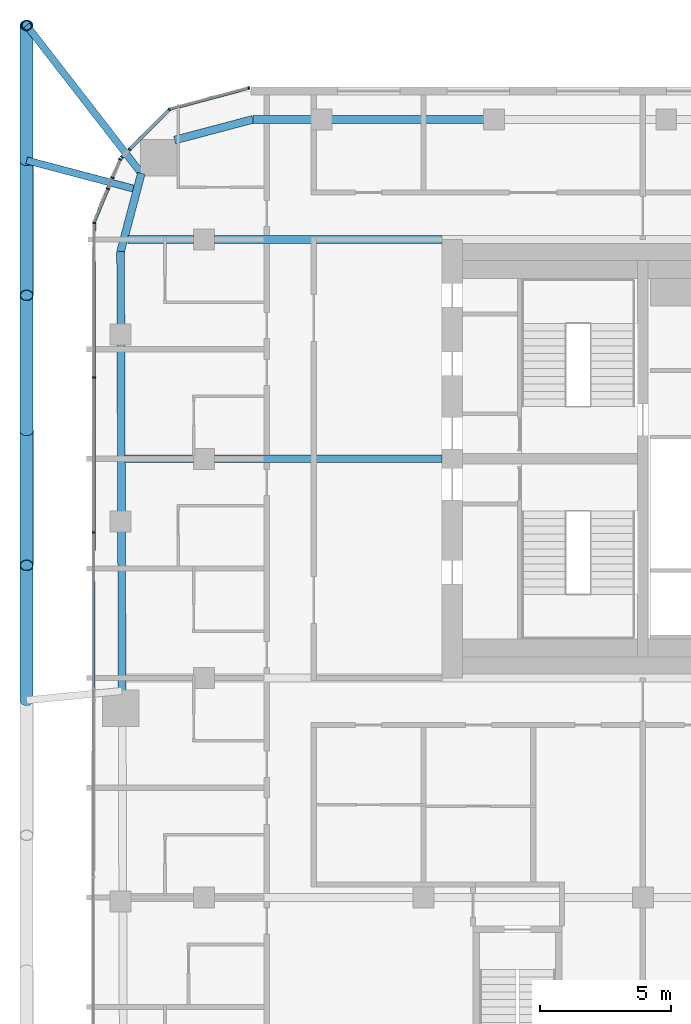
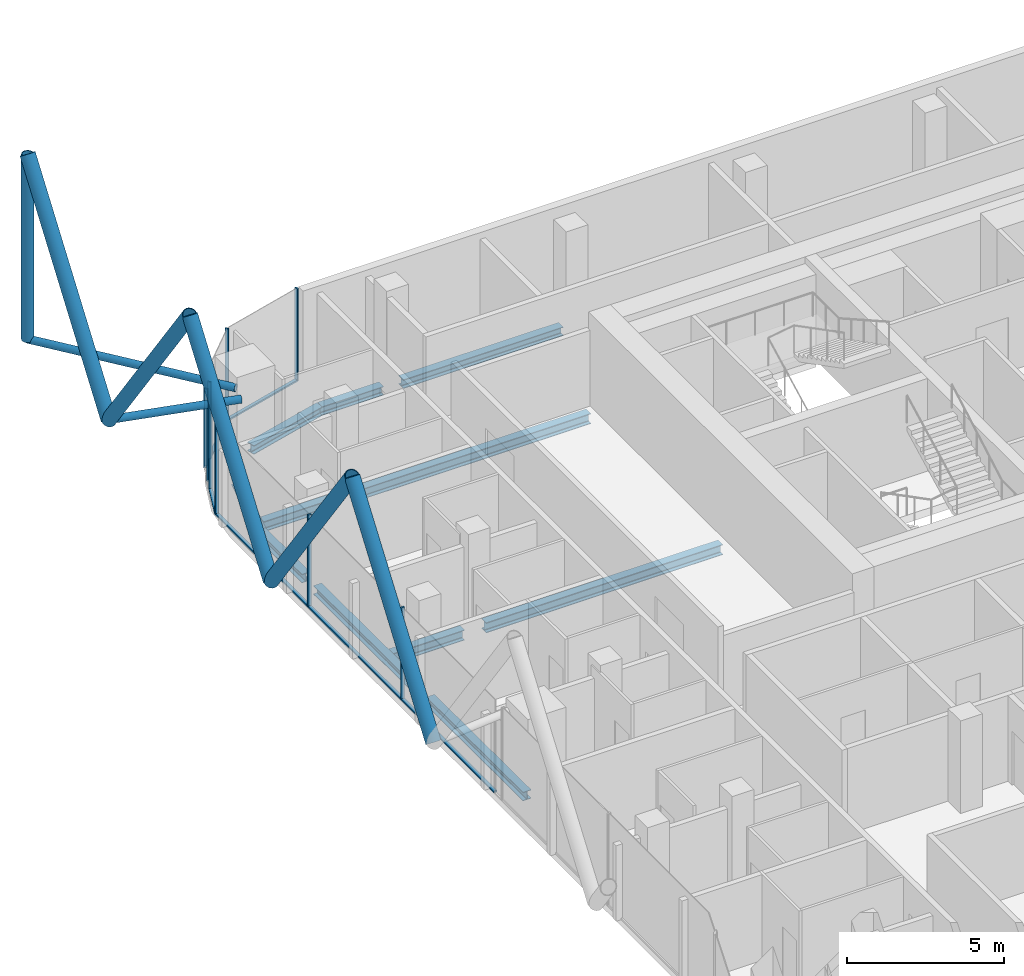
# One storey, part 8 of 31: 24 members, 11 beams, 7 elements without a shape of their own.
"""IFC4 building model written with IfcOpenShell, lengths in metres."""

from ifc_helpers import new_model, si_unit, direction, frame, origin, origin_2d, place, context, subcontext, project, spatial, rectangle, hollow_circle, i_section, extrude, material, layer, layer_set, material_profile, profile_set, type_object, element, aggregate, save


model = new_model("IFC4")

# Units and contexts
model_context = context("Model", 3, precision=1e-05, world=origin(), true_north=direction((0.0, 1.0)))
body_context = subcontext(model_context, "Body", "Model", "MODEL_VIEW")
ifc_project = project(units=[si_unit("LENGTHUNIT", "METRE"), si_unit("AREAUNIT", "SQUARE_METRE"), si_unit("VOLUMEUNIT", "CUBIC_METRE"), si_unit("PLANEANGLEUNIT", "RADIAN"), si_unit("MASSUNIT", "GRAM", prefix="KILO")], contexts=[model_context])

# Site, building, storey
site_placement = place(None, origin())
site = spatial("IfcSite", under=ifc_project, at=site_placement, CompositionType="ELEMENT")
building_placement = place(site_placement, origin())
building = spatial("IfcBuilding", under=site, at=building_placement, Name="Marenta Gate Hotel Tower", CompositionType="ELEMENT")
storey_placement = place(building_placement, frame((0.0, 0.0, 191.300048828125)))
storey = spatial("IfcBuildingStorey", under=building, at=storey_placement, Name="L43", CompositionType="ELEMENT", Elevation=191.300048828125)

# Members
ifc_material_1 = material(Name="Steel S355J2W", Category="steel")
ifc_material_profile_1 = material_profile(ifc_material_1, hollow_circle(Radius=0.203125, WallThickness=0.02490234375, at=origin_2d()), Name="CHS 406.4x25")
ifc_profile_set_1 = profile_set([ifc_material_profile_1], Name="Steel S355J2W")
member_type_1 = type_object("IfcMemberType", Name="Diagrid corner post Z3 CHS 406.4x25", PredefinedType="POST", material=ifc_profile_set_1)
member_1_placement = place(storey_placement, frame((-27.800048828125, 25.0, 3.139892578125), z_axis=(0.0, 0.0, 1.0), x_axis=(1.0, 0.0, 0.0)))
element("IfcMember", 1, at=member_1_placement, inside=storey, type_object=member_type_1, Name="L43-DR-6", PredefinedType="POST", context=body_context, shape_type="SweptSolid", body=[
    extrude(hollow_circle(Radius=0.203125, WallThickness=0.02490234375, at=origin_2d()), origin(), (0.0, 0.0, 1.0), 7.199951171875),
])
ifc_material_2 = material(Name="Steel S355J2W", Category="steel")
ifc_material_profile_2 = material_profile(ifc_material_2, hollow_circle(Radius=0.25390625, WallThickness=0.02490234375, at=origin_2d()), Name="CHS 508x25")
ifc_profile_set_2 = profile_set([ifc_material_profile_2], Name="Steel S355J2W")
member_type_2 = type_object("IfcMemberType", Name="Diagrid diagonal Z3 CHS 508x25", PredefinedType="BRACE", material=ifc_profile_set_2)
member_2_placement = place(storey_placement, frame((-27.800048828125, -0.85009765625, 3.139892578125), z_axis=(0.0, 0.583260841117, 0.812284919975), x_axis=(-1.0, 0.0, 0.0)))
element("IfcMember", 2, at=member_2_placement, inside=storey, type_object=member_type_2, Name="L43-DG-30", PredefinedType="BRACE", context=body_context, shape_type="SweptSolid", body=[
    extrude(hollow_circle(Radius=0.25390625, WallThickness=0.02490234375, at=origin_2d()), origin(), (0.0, 0.0, 1.0), 8.86376953125),
])
member_3_placement = place(storey_placement, frame((-27.800048828125, 9.489990234375, 3.139892578125), z_axis=(0.0, -0.583279014058, 0.812271870595), x_axis=(1.0, 0.0, 0.0)))
element("IfcMember", 3, at=member_3_placement, inside=storey, type_object=member_type_2, Name="L43-DG-31", PredefinedType="BRACE", context=body_context, shape_type="SweptSolid", body=[
    extrude(hollow_circle(Radius=0.25390625, WallThickness=0.02490234375, at=origin_2d()), origin(), (0.0, 0.0, 1.0), 8.864013671875),
])
member_4_placement = place(storey_placement, frame((-27.800048828125, 9.489990234375, 3.139892578125), z_axis=(0.0, 0.583260841117, 0.812284919975), x_axis=(-1.0, 0.0, 0.0)))
element("IfcMember", 4, at=member_4_placement, inside=storey, type_object=member_type_2, Name="L43-DG-32", PredefinedType="BRACE", context=body_context, shape_type="SweptSolid", body=[
    extrude(hollow_circle(Radius=0.25390625, WallThickness=0.02490234375, at=origin_2d()), origin(), (0.0, 0.0, 1.0), 8.86376953125),
])
member_5_placement = place(storey_placement, frame((-27.800048828125, 19.830078125, 3.139892578125), z_axis=(0.0, -0.583279014058, 0.812271870595), x_axis=(1.0, 0.0, 0.0)))
element("IfcMember", 5, at=member_5_placement, inside=storey, type_object=member_type_2, Name="L43-DG-33", PredefinedType="BRACE", context=body_context, shape_type="SweptSolid", body=[
    extrude(hollow_circle(Radius=0.25390625, WallThickness=0.02490234375, at=origin_2d()), origin(), (0.0, 0.0, 1.0), 8.864013671875),
])
member_6_placement = place(storey_placement, frame((-27.800048828125, 19.830078125, 3.139892578125), z_axis=(0.0, 0.583260841117, 0.812284919975), x_axis=(-1.0, 0.0, 0.0)))
element("IfcMember", 6, at=member_6_placement, inside=storey, type_object=member_type_2, Name="L43-DG-34", PredefinedType="BRACE", context=body_context, shape_type="SweptSolid", body=[
    extrude(hollow_circle(Radius=0.25390625, WallThickness=0.02490234375, at=origin_2d()), origin(), (0.0, 0.0, 1.0), 8.86376953125),
])

# Beams
ifc_material_3 = material(Name="Steel S355", Category="steel")
ifc_material_profile_3 = material_profile(ifc_material_3, i_section(OverallWidth=0.300048828125, OverallDepth=0.340087890625, WebThickness=0.011962890625, FlangeThickness=0.021484375, FilletRadius=0.027099609375, at=origin_2d()), Name="HEB 340")
ifc_profile_set_3 = profile_set([ifc_material_profile_3], Name="Steel S355")
beam_type_1 = type_object("IfcBeamType", Name="Edge beam HEB 340", PredefinedType="SPANDREL", material=ifc_profile_set_3)
beam_1_placement = place(storey_placement, frame((-24.14404296875, -0.489990234375, -0.429931640625), z_axis=(-0.003303859048, 0.999994542243, 0.0), x_axis=(-0.999994542243, -0.003303859048, 0.0)))
element("IfcBeam", 7, at=beam_1_placement, inside=storey, type_object=beam_type_1, Name="L43-EB-8", PredefinedType="SPANDREL", context=body_context, shape_type="SweptSolid", body=[
    extrude(i_section(OverallWidth=0.300048828125, OverallDepth=0.340087890625, WebThickness=0.011962890625, FlangeThickness=0.021484375, FilletRadius=0.027099609375, at=origin_2d()), origin(), (0.0, 0.0, 1.0), 6.13330078125),
])
beam_2_placement = place(storey_placement, frame((-24.166748046875, 6.36328125, -0.429931640625), z_axis=(-0.00333963982, 0.999994423387, 0.0), x_axis=(-0.999994423387, -0.00333963982, 0.0)))
element("IfcBeam", 8, at=beam_2_placement, inside=storey, type_object=beam_type_1, Name="L43-EB-9", PredefinedType="SPANDREL", context=body_context, shape_type="SweptSolid", body=[
    extrude(i_section(OverallWidth=0.300048828125, OverallDepth=0.340087890625, WebThickness=0.011962890625, FlangeThickness=0.021484375, FilletRadius=0.027099609375, at=origin_2d()), origin(), (0.0, 0.0, 1.0), 6.43310546875),
])
beam_3_placement = place(storey_placement, frame((-24.190673828125, 13.516357421875, -0.429931640625), z_axis=(-0.003292020626, 0.999994581285, 0.0), x_axis=(-0.999994581285, -0.003292020626, 0.0)))
element("IfcBeam", 9, at=beam_3_placement, inside=storey, type_object=beam_type_1, Name="L43-EB-10", PredefinedType="SPANDREL", context=body_context, shape_type="SweptSolid", body=[
    extrude(i_section(OverallWidth=0.300048828125, OverallDepth=0.340087890625, WebThickness=0.011962890625, FlangeThickness=0.021484375, FilletRadius=0.027099609375, at=origin_2d()), origin(), (0.0, 0.0, 1.0), 2.818115234375),
])
beam_4_placement = place(storey_placement, frame((-24.199951171875, 16.33447265625, -0.429931640625), z_axis=(0.255648013319, 0.966769927794, 0.0), x_axis=(-0.966769927794, 0.255648013319, 0.0)))
element("IfcBeam", 10, at=beam_4_placement, inside=storey, type_object=beam_type_1, Name="L43-EB-11", PredefinedType="SPANDREL", context=body_context, shape_type="SweptSolid", body=[
    extrude(i_section(OverallWidth=0.300048828125, OverallDepth=0.340087890625, WebThickness=0.011962890625, FlangeThickness=0.021484375, FilletRadius=0.027099609375, at=origin_2d()), origin(), (0.0, 0.0, 1.0), 3.100830078125),
])
beam_5_placement = place(storey_placement, frame((-22.132080078125, 20.607177734375, -0.429931640625), z_axis=(0.9667647815, 0.25566747398, 0.0), x_axis=(-0.25566747398, 0.9667647815, 0.0)))
element("IfcBeam", 11, at=beam_5_placement, inside=storey, type_object=beam_type_1, Name="L43-EB-12", PredefinedType="SPANDREL", context=body_context, shape_type="SweptSolid", body=[
    extrude(i_section(OverallWidth=0.300048828125, OverallDepth=0.340087890625, WebThickness=0.011962890625, FlangeThickness=0.021484375, FilletRadius=0.027099609375, at=origin_2d()), origin(), (0.0, 0.0, 1.0), 3.1005859375),
])
beam_6_placement = place(storey_placement, frame((-19.134521484375, 21.39990234375, -0.429931640625), z_axis=(1.0, 0.0, 0.0), x_axis=(0.0, 1.0, 0.0)))
element("IfcBeam", 12, at=beam_6_placement, inside=storey, type_object=beam_type_1, Name="L43-EB-13", PredefinedType="SPANDREL", context=body_context, shape_type="SweptSolid", body=[
    extrude(i_section(OverallWidth=0.300048828125, OverallDepth=0.340087890625, WebThickness=0.011962890625, FlangeThickness=0.021484375, FilletRadius=0.027099609375, at=origin_2d()), origin(), (0.0, 0.0, 1.0), 2.267578125),
])
beam_7_placement = place(storey_placement, frame((-16.14697265625, 21.39990234375, -0.429931640625), z_axis=(1.0, 0.0, 0.0), x_axis=(0.0, 1.0, 0.0)))
element("IfcBeam", 13, at=beam_7_placement, inside=storey, type_object=beam_type_1, Name="L43-EB-14", PredefinedType="SPANDREL", context=body_context, shape_type="SweptSolid", body=[
    extrude(i_section(OverallWidth=0.300048828125, OverallDepth=0.340087890625, WebThickness=0.011962890625, FlangeThickness=0.021484375, FilletRadius=0.027099609375, at=origin_2d()), origin(), (0.0, 0.0, 1.0), 5.8828125),
])

# Members
ifc_material_4 = material(Name="Steel S355J2W", Category="steel")
ifc_material_profile_4 = material_profile(ifc_material_4, hollow_circle(Radius=0.136474609375, WallThickness=0.012451171875, at=origin_2d()), Name="CHS 273x12.5")
ifc_profile_set_4 = profile_set([ifc_material_profile_4], Name="Steel S355J2W")
member_type_3 = type_object("IfcMemberType", Name="Floor tie CHS 273x12.5", PredefinedType="STRUT", material=ifc_profile_set_4)
member_7_placement = place(storey_placement, frame((-27.800048828125, 19.830078125, 3.139892578125), z_axis=(0.966769042409, -0.255651361506, 0.0), x_axis=(0.255651361506, 0.966769042409, 0.0)))
element("IfcMember", 14, at=member_7_placement, inside=storey, type_object=member_type_3, Name="L43-DR-21", PredefinedType="STRUT", context=body_context, shape_type="SweptSolid", body=[
    extrude(hollow_circle(Radius=0.136474609375, WallThickness=0.012451171875, at=origin_2d()), origin(), (0.0, 0.0, 1.0), 4.3681640625),
])
member_8_placement = place(storey_placement, frame((-27.800048828125, 25.0, 3.139892578125), z_axis=(0.61259242592, -0.790398962363, 0.0), x_axis=(0.790398962363, 0.61259242592, 0.0)))
element("IfcMember", 15, at=member_8_placement, inside=storey, type_object=member_type_3, Name="L43-DR-22", PredefinedType="STRUT", context=body_context, shape_type="SweptSolid", body=[
    extrude(hollow_circle(Radius=0.136474609375, WallThickness=0.012451171875, at=origin_2d()), origin(), (0.0, 0.0, 1.0), 7.163330078125),
])

# Beams
ifc_material_5 = material(Name="Steel S355", Category="steel")
ifc_material_profile_5 = material_profile(ifc_material_5, i_section(OverallWidth=0.300048828125, OverallDepth=0.39990234375, WebThickness=0.013427734375, FlangeThickness=0.02392578125, FilletRadius=0.027099609375, at=origin_2d()), Name="HEB 400")
ifc_profile_set_5 = profile_set([ifc_material_profile_5], Name="Steel S355")
beam_type_2 = type_object("IfcBeamType", Name="Girder HEB 400", PredefinedType="BEAM", material=ifc_profile_set_5)
beam_8_placement = place(storey_placement, frame((-24.023681640625, 8.39990234375, -0.4599609375), z_axis=(1.0, 0.0, 0.0), x_axis=(0.0, 1.0, 0.0)))
element("IfcBeam", 16, at=beam_8_placement, inside=storey, type_object=beam_type_2, Name="L43-GD-25", PredefinedType="BEAM", context=body_context, shape_type="SweptSolid", body=[
    extrude(i_section(OverallWidth=0.300048828125, OverallDepth=0.39990234375, WebThickness=0.013427734375, FlangeThickness=0.02392578125, FilletRadius=0.027099609375, at=origin_2d()), origin(), (0.0, 0.0, 1.0), 2.623779296875),
])
beam_9_placement = place(storey_placement, frame((-20.60009765625, 8.39990234375, -0.4599609375), z_axis=(1.0, 0.0, 0.0), x_axis=(0.0, 1.0, 0.0)))
element("IfcBeam", 17, at=beam_9_placement, inside=storey, type_object=beam_type_2, Name="L43-GD-26", PredefinedType="BEAM", context=body_context, shape_type="SweptSolid", body=[
    extrude(i_section(OverallWidth=0.300048828125, OverallDepth=0.39990234375, WebThickness=0.013427734375, FlangeThickness=0.02392578125, FilletRadius=0.027099609375, at=origin_2d()), origin(), (0.0, 0.0, 1.0), 8.7001953125),
])
beam_10_placement = place(storey_placement, frame((-23.921630859375, 16.800048828125, -0.4599609375), z_axis=(1.0, 0.0, 0.0), x_axis=(0.0, 1.0, 0.0)))
element("IfcBeam", 18, at=beam_10_placement, inside=storey, type_object=beam_type_2, Name="L43-GD-29", PredefinedType="BEAM", context=body_context, shape_type="SweptSolid", body=[
    extrude(i_section(OverallWidth=0.300048828125, OverallDepth=0.39990234375, WebThickness=0.013427734375, FlangeThickness=0.02392578125, FilletRadius=0.027099609375, at=origin_2d()), origin(), (0.0, 0.0, 1.0), 2.521728515625),
])
beam_11_placement = place(storey_placement, frame((-20.60009765625, 16.800048828125, -0.4599609375), z_axis=(1.0, 0.0, 0.0), x_axis=(0.0, 1.0, 0.0)))
element("IfcBeam", 19, at=beam_11_placement, inside=storey, type_object=beam_type_2, Name="L43-GD-30", PredefinedType="BEAM", context=body_context, shape_type="SweptSolid", body=[
    extrude(i_section(OverallWidth=0.300048828125, OverallDepth=0.39990234375, WebThickness=0.013427734375, FlangeThickness=0.02392578125, FilletRadius=0.027099609375, at=origin_2d()), origin(), (0.0, 0.0, 1.0), 8.7001953125),
])

# Curtain wall, member
ifc_material_6 = material(Name="Tinted insulated glass in bronze anodised frame", Category="glass")
ifc_layer = layer(ifc_material_6, 0.1201171875)
ifc_layer_set = layer_set([ifc_layer], Name="Tinted insulated glass in bronze anodised frame")
curtain_wall_type = type_object("IfcCurtainWallType", Name="Tower unitised curtain wall CW1", PredefinedType="NOTDEFINED", material=ifc_layer_set)
curtain_wall_1_placement = place(storey_placement, origin())
curtain_wall_1 = element("IfcCurtainWall", 20, at=curtain_wall_1_placement, inside=storey, type_object=curtain_wall_type, Name="CW1 run G00", PredefinedType="NOTDEFINED")
ifc_material_7 = material(Name="Bronze anodised aluminium", Category="aluminium")
ifc_material_profile_6 = material_profile(ifc_material_7, rectangle(XDim=0.1201171875, YDim=0.06005859375, at=origin_2d()), Name="Mullion CW1 60x120 bronze anodised aluminium")
ifc_profile_set_6 = profile_set([ifc_material_profile_6], Name="Bronze anodised aluminium")
member_type_4 = type_object("IfcMemberType", Name="Mullion CW1 60x120 bronze anodised aluminium", PredefinedType="MULLION", material=ifc_profile_set_6)
member_9_placement = place(storey_placement, frame((-19.285400390625, 22.603271484375, 0.0), z_axis=(0.0, 0.0, 1.0), x_axis=(0.258801379183, -0.965930559685, 0.0)))
member_9 = element("IfcMember", 21, at=member_9_placement, type_object=member_type_4, Name="CW1 mullion 1", PredefinedType="MULLION", context=body_context, shape_type="SweptSolid", body=[
    extrude(rectangle(XDim=0.1201171875, YDim=0.06005859375, at=origin_2d()), origin(), (0.0, 0.0, 1.0), 3.599853515625),
])

curtain_wall_2_placement = place(storey_placement, origin())
curtain_wall_2 = element("IfcCurtainWall", 22, at=curtain_wall_2_placement, inside=storey, type_object=curtain_wall_type, Name="CW1 run G01", PredefinedType="NOTDEFINED")
member_10_placement = place(storey_placement, frame((-22.334228515625, 21.77099609375, 0.0), z_axis=(0.0, 0.0, 1.0), x_axis=(0.707106781187, -0.707106781187, 0.0)))
member_10 = element("IfcMember", 23, at=member_10_placement, type_object=member_type_4, Name="CW1 mullion 1", PredefinedType="MULLION", context=body_context, shape_type="SweptSolid", body=[
    extrude(rectangle(XDim=0.1201171875, YDim=0.06005859375, at=origin_2d()), origin(), (0.0, 0.0, 1.0), 3.599853515625),
])

# Curtain wall, members
curtain_wall_3_placement = place(storey_placement, origin())
curtain_wall_3 = element("IfcCurtainWall", 24, at=curtain_wall_3_placement, inside=storey, type_object=curtain_wall_type, Name="CW1 run G02", PredefinedType="NOTDEFINED")
member_11_placement = place(storey_placement, frame((-23.86328125, 20.24169921875, 0.0), z_axis=(0.0, 0.0, 1.0), x_axis=(0.707106781187, -0.707106781187, 0.0)))
member_11 = element("IfcMember", 25, at=member_11_placement, type_object=member_type_4, Name="CW1 mullion 1", PredefinedType="MULLION", context=body_context, shape_type="SweptSolid", body=[
    extrude(rectangle(XDim=0.1201171875, YDim=0.06005859375, at=origin_2d()), origin(), (0.0, 0.0, 1.0), 3.00048828125),
])
member_12_placement = place(storey_placement, frame((-24.143798828125, 19.961181640625, 0.0), z_axis=(0.0, 0.0, 1.0), x_axis=(0.707106781187, -0.707106781187, 0.0)))
member_12 = element("IfcMember", 26, at=member_12_placement, type_object=member_type_4, Name="CW1 mullion 2", PredefinedType="MULLION", context=body_context, shape_type="SweptSolid", body=[
    extrude(rectangle(XDim=0.1201171875, YDim=0.06005859375, at=origin_2d()), origin(), (0.0, 0.0, 1.0), 3.00048828125),
])
aggregate(curtain_wall_3, [member_11, member_12])

# Curtain wall, member
curtain_wall_4_placement = place(storey_placement, origin())
curtain_wall_4 = element("IfcCurtainWall", 27, at=curtain_wall_4_placement, inside=storey, type_object=curtain_wall_type, Name="CW1 run G03", PredefinedType="NOTDEFINED")
member_13_placement = place(storey_placement, frame((-24.215087890625, 19.87353515625, 0.0), z_axis=(0.0, 0.0, 1.0), x_axis=(0.923867791185, -0.382711777204, 0.0)))
member_13 = element("IfcMember", 28, at=member_13_placement, type_object=member_type_4, Name="CW1 mullion 1", PredefinedType="MULLION", context=body_context, shape_type="SweptSolid", body=[
    extrude(rectangle(XDim=0.1201171875, YDim=0.06005859375, at=origin_2d()), origin(), (0.0, 0.0, 1.0), 3.599853515625),
])
aggregate(curtain_wall_4, [member_13])

curtain_wall_5_placement = place(storey_placement, origin())
curtain_wall_5 = element("IfcCurtainWall", 29, at=curtain_wall_5_placement, inside=storey, type_object=curtain_wall_type, Name="CW1 run G04", PredefinedType="NOTDEFINED")
member_14_placement = place(storey_placement, frame((-24.50927734375, 19.163330078125, 0.0), z_axis=(0.0, 0.0, 1.0), x_axis=(0.923896848097, -0.382641626167, 0.0)))
member_14 = element("IfcMember", 30, at=member_14_placement, type_object=member_type_4, Name="CW1 mullion 1", PredefinedType="MULLION", context=body_context, shape_type="SweptSolid", body=[
    extrude(rectangle(XDim=0.1201171875, YDim=0.06005859375, at=origin_2d()), origin(), (0.0, 0.0, 1.0), 3.00048828125),
])
aggregate(curtain_wall_5, [member_14])

curtain_wall_6_placement = place(storey_placement, origin())
curtain_wall_6 = element("IfcCurtainWall", 31, at=curtain_wall_6_placement, inside=storey, type_object=curtain_wall_type, Name="CW1 run G05", PredefinedType="NOTDEFINED")
member_15_placement = place(storey_placement, frame((-24.684326171875, 18.740966796875, 0.0), z_axis=(0.0, 0.0, 1.0), x_axis=(0.923893220226, -0.382650385627, 0.0)))
member_15 = element("IfcMember", 32, at=member_15_placement, type_object=member_type_4, Name="CW1 mullion 1", PredefinedType="MULLION", context=body_context, shape_type="SweptSolid", body=[
    extrude(rectangle(XDim=0.1201171875, YDim=0.06005859375, at=origin_2d()), origin(), (0.0, 0.0, 1.0), 3.599853515625),
])

# Curtain wall, members
curtain_wall_7_placement = place(storey_placement, origin())
curtain_wall_7 = element("IfcCurtainWall", 33, at=curtain_wall_7_placement, inside=storey, type_object=curtain_wall_type, Name="CW1 run G06", PredefinedType="NOTDEFINED")
member_16_placement = place(storey_placement, frame((-25.21240234375, 17.436279296875, 0.0), z_axis=(0.0, 0.0, 1.0), x_axis=(0.999998767857, -0.001569803969, 0.0)))
member_16 = element("IfcMember", 34, at=member_16_placement, type_object=member_type_4, Name="CW1 mullion 1", PredefinedType="MULLION", context=body_context, shape_type="SweptSolid", body=[
    extrude(rectangle(XDim=0.1201171875, YDim=0.06005859375, at=origin_2d()), origin(), (0.0, 0.0, 1.0), 3.599853515625),
])
member_17_placement = place(storey_placement, frame((-25.2216796875, 11.520751953125, 0.0), z_axis=(0.0, 0.0, 1.0), x_axis=(0.999998767857, -0.001569803969, 0.0)))
member_17 = element("IfcMember", 35, at=member_17_placement, type_object=member_type_4, Name="CW1 mullion 2", PredefinedType="MULLION", context=body_context, shape_type="SweptSolid", body=[
    extrude(rectangle(XDim=0.1201171875, YDim=0.06005859375, at=origin_2d()), origin(), (0.0, 0.0, 1.0), 3.599853515625),
])
member_18_placement = place(storey_placement, frame((-25.23095703125, 5.5751953125, 0.0), z_axis=(0.0, 0.0, 1.0), x_axis=(0.999998767857, -0.001569803969, 0.0)))
member_18 = element("IfcMember", 36, at=member_18_placement, type_object=member_type_4, Name="CW1 mullion 3", PredefinedType="MULLION", context=body_context, shape_type="SweptSolid", body=[
    extrude(rectangle(XDim=0.1201171875, YDim=0.06005859375, at=origin_2d()), origin(), (0.0, 0.0, 1.0), 3.599853515625),
])

# Member
ifc_material_8 = material(Name="Bronze anodised aluminium", Category="aluminium")
ifc_material_profile_7 = material_profile(ifc_material_8, rectangle(XDim=0.1201171875, YDim=0.06005859375, at=origin_2d()), Name="Transom CW1 60x120 bronze anodised aluminium")
ifc_profile_set_7 = profile_set([ifc_material_profile_7], Name="Bronze anodised aluminium")
member_type_5 = type_object("IfcMemberType", Name="Transom CW1 60x120 bronze anodised aluminium", PredefinedType="USERDEFINED", material=ifc_profile_set_7)
member_19_placement = place(storey_placement, frame((-19.314453125, 22.595458984375, 0.030029296875), z_axis=(-0.965924882171, -0.258822568574, 0.0), x_axis=(0.258822568574, -0.965924882171, 0.0)))
member_19 = element("IfcMember", 37, at=member_19_placement, type_object=member_type_5, Name="CW1 transom 1.1", ObjectType="TRANSOM", PredefinedType="USERDEFINED", context=body_context, shape_type="SweptSolid", body=[
    extrude(rectangle(XDim=0.1201171875, YDim=0.06005859375, at=origin_2d()), origin(), (0.0, 0.0, 1.0), 3.104248046875),
])

aggregate(curtain_wall_1, [member_9, member_19])

member_20_placement = place(storey_placement, frame((-22.355224609375, 21.749755859375, 0.030029296875), z_axis=(-0.707106781187, -0.707106781187, 0.0), x_axis=(0.707106781187, -0.707106781187, 0.0)))
member_20 = element("IfcMember", 38, at=member_20_placement, type_object=member_type_5, Name="CW1 transom 1.1", ObjectType="TRANSOM", PredefinedType="USERDEFINED", context=body_context, shape_type="SweptSolid", body=[
    extrude(rectangle(XDim=0.1201171875, YDim=0.06005859375, at=origin_2d()), origin(), (0.0, 0.0, 1.0), 2.102783203125),
])

aggregate(curtain_wall_2, [member_10, member_20])

member_21_placement = place(storey_placement, frame((-24.69580078125, 18.71337890625, 0.030029296875), z_axis=(-0.382713863941, -0.923866926753, 0.0), x_axis=(0.923866926753, -0.382713863941, 0.0)))
member_21 = element("IfcMember", 39, at=member_21_placement, type_object=member_type_5, Name="CW1 transom 1.1", ObjectType="TRANSOM", PredefinedType="USERDEFINED", context=body_context, shape_type="SweptSolid", body=[
    extrude(rectangle(XDim=0.1201171875, YDim=0.06005859375, at=origin_2d()), origin(), (0.0, 0.0, 1.0), 1.349853515625),
])

aggregate(curtain_wall_6, [member_15, member_21])

member_22_placement = place(storey_placement, frame((-25.21240234375, 17.40625, 0.030029296875), z_axis=(-0.001584387604, -0.999998744857, 0.0), x_axis=(0.999998744857, -0.001584387604, 0.0)))
member_22 = element("IfcMember", 40, at=member_22_placement, type_object=member_type_5, Name="CW1 transom 1.1", ObjectType="TRANSOM", PredefinedType="USERDEFINED", context=body_context, shape_type="SweptSolid", body=[
    extrude(rectangle(XDim=0.1201171875, YDim=0.06005859375, at=origin_2d()), origin(), (0.0, 0.0, 1.0), 5.85546875),
])

member_23_placement = place(storey_placement, frame((-25.2216796875, 11.49072265625, 0.030029296875), z_axis=(-0.001576303679, -0.999998757633, 0.0), x_axis=(0.999998757633, -0.001576303679, 0.0)))
member_23 = element("IfcMember", 41, at=member_23_placement, type_object=member_type_5, Name="CW1 transom 2.1", ObjectType="TRANSOM", PredefinedType="USERDEFINED", context=body_context, shape_type="SweptSolid", body=[
    extrude(rectangle(XDim=0.1201171875, YDim=0.06005859375, at=origin_2d()), origin(), (0.0, 0.0, 1.0), 5.885498046875),
])

member_24_placement = place(storey_placement, frame((-25.23095703125, 5.545166015625, 0.030029296875), z_axis=(-0.001568301827, -0.999998770214, 0.0), x_axis=(0.999998770214, -0.001568301827, 0.0)))
member_24 = element("IfcMember", 42, at=member_24_placement, type_object=member_type_5, Name="CW1 transom 3.1", ObjectType="TRANSOM", PredefinedType="USERDEFINED", context=body_context, shape_type="SweptSolid", body=[
    extrude(rectangle(XDim=0.1201171875, YDim=0.06005859375, at=origin_2d()), origin(), (0.0, 0.0, 1.0), 5.91552734375),
])

aggregate(curtain_wall_7, [member_16, member_17, member_18, member_22, member_23, member_24])

save(model, "model.ifc")
